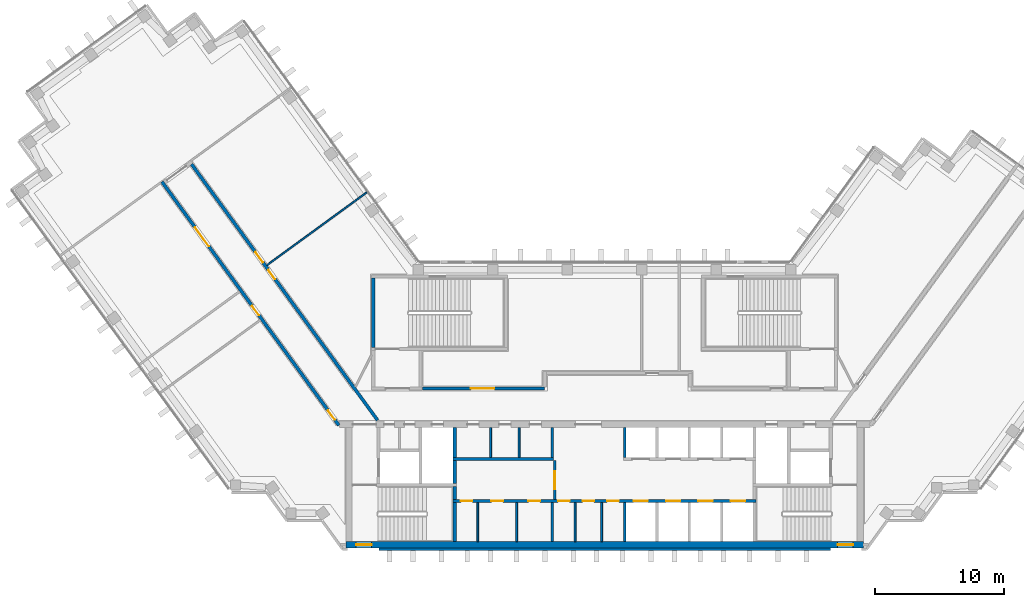
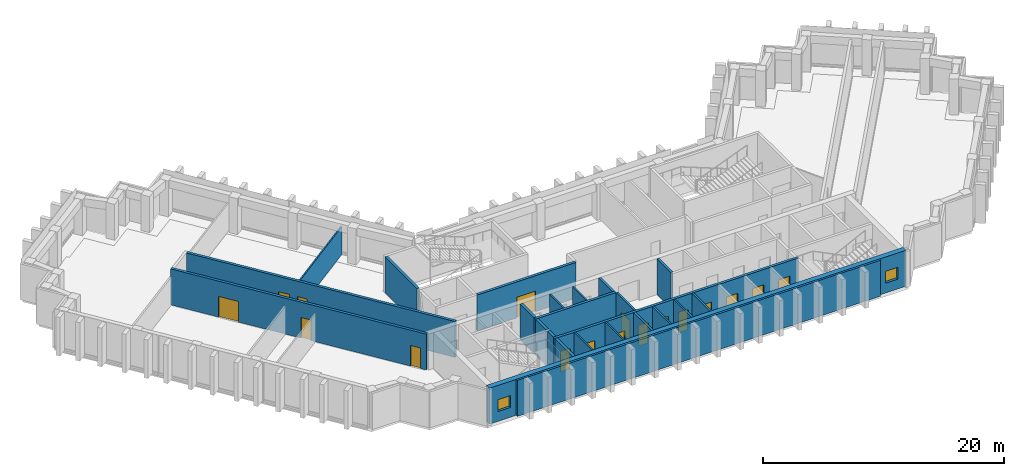
# One storey, part 4 of 9: 24 walls, 17 doors, 2 windows, 19 openings.
"""IFC4 building model written with IfcOpenShell, lengths in metres."""

from ifc_helpers import new_model, si_unit, direction, frame, frame_2d, origin, place, context, subcontext, project, spatial, rectangle, extrude, material, layer, layer_set, type_object, element, fill, save


model = new_model("IFC4")

# Units and contexts
model_context = context("Model", 3, precision=1e-05, world=origin(), true_north=direction((0.0, 1.0)))
body_context = subcontext(model_context, "Body", "Model", "MODEL_VIEW")
ifc_project = project(units=[si_unit("LENGTHUNIT", "METRE"), si_unit("AREAUNIT", "SQUARE_METRE"), si_unit("VOLUMEUNIT", "CUBIC_METRE"), si_unit("PLANEANGLEUNIT", "RADIAN"), si_unit("MASSUNIT", "GRAM", prefix="KILO")], contexts=[model_context])

# Site, building, storey
site_placement = place(None, origin())
site = spatial("IfcSite", under=ifc_project, at=site_placement, CompositionType="ELEMENT")
building_placement = place(site_placement, origin())
building = spatial("IfcBuilding", under=site, at=building_placement, Name="Quipu Civic Tower", CompositionType="ELEMENT")
storey_placement = place(building_placement, frame((0.0, 0.0, 218.0)))
storey = spatial("IfcBuildingStorey", under=building, at=storey_placement, Name="L51", CompositionType="ELEMENT", Elevation=218.0)

# Wall
ifc_material_1 = material(Name="Concrete C70/85", Category="concrete")
ifc_layer_1 = layer(ifc_material_1, 0.25)
ifc_layer_set_1 = layer_set([ifc_layer_1], Name="Concrete C70/85")
wall_type_1 = type_object("IfcWallType", Name="Core wall 250", PredefinedType="SHEAR", material=ifc_layer_set_1)
wall_1_placement = place(storey_placement, frame((-11.574951171875, -10.5, 0.0), z_axis=(0.0, 0.0, 1.0), x_axis=(0.0, 1.0, 0.0)))
element("IfcWall", 1, at=wall_1_placement, inside=storey, type_object=wall_type_1, Name="Core wall", PredefinedType="SHEAR", context=body_context, shape_type="SweptSolid", body=[
    extrude(rectangle(XDim=3.0, YDim=0.25, at=frame_2d((1.5, 0.0))), origin(), (0.0, 0.0, 1.0), 3.64990234375),
])

# Wall, openings, doors
wall_2_placement = place(storey_placement, frame((11.699951171875, -7.375, 0.0), z_axis=(0.0, 0.0, 1.0), x_axis=(-1.0, 0.0, 0.0)))
wall_2 = element("IfcWall", 2, at=wall_2_placement, inside=storey, type_object=wall_type_1, Name="Core wall", PredefinedType="SHEAR", context=body_context, shape_type="SweptSolid", body=[
    extrude(rectangle(XDim=23.39990234375, YDim=0.25, at=frame_2d((11.699951171875, 0.0))), origin(), (0.0, 0.0, 1.0), 3.64990234375),
])
opening_1_placement = place(wall_2_placement, frame((21.912109375, 0.0, 0.0)))
opening_1 = element("IfcOpeningElement", 3, at=opening_1_placement, cuts=wall_2, Name="Opening CD-01", PredefinedType="OPENING", context=body_context, shape_type="SweptSolid", body=[
    extrude(rectangle(XDim=0.89990234375, YDim=2.10009765625, at=frame_2d((0.449951171875, 1.050048828125))), frame((0.0, 0.135009765625, 0.0), z_axis=(0.0, -1.0, 0.0), x_axis=(1.0, 0.0, 0.0)), (0.0, 0.0, 1.0), 0.27001953125),
])
opening_2_placement = place(wall_2_placement, frame((19.550048828125, 0.0, 0.0)))
opening_2 = element("IfcOpeningElement", 4, at=opening_2_placement, cuts=wall_2, Name="Opening CD-02", PredefinedType="OPENING", context=body_context, shape_type="SweptSolid", body=[
    extrude(rectangle(XDim=0.89990234375, YDim=2.10009765625, at=frame_2d((0.449951171875, 1.050048828125))), frame((0.0, 0.135009765625, 0.0), z_axis=(0.0, -1.0, 0.0), x_axis=(1.0, 0.0, 0.0)), (0.0, 0.0, 1.0), 0.27001953125),
])
opening_3_placement = place(wall_2_placement, frame((16.68798828125, 0.0, 0.0)))
opening_3 = element("IfcOpeningElement", 5, at=opening_3_placement, cuts=wall_2, Name="Opening CD-03", PredefinedType="OPENING", context=body_context, shape_type="SweptSolid", body=[
    extrude(rectangle(XDim=0.89990234375, YDim=2.10009765625, at=frame_2d((0.449951171875, 1.050048828125))), frame((0.0, 0.135009765625, 0.0), z_axis=(0.0, -1.0, 0.0), x_axis=(1.0, 0.0, 0.0)), (0.0, 0.0, 1.0), 0.27001953125),
])
opening_4_placement = place(wall_2_placement, frame((14.39990234375, 0.0, 0.0)))
opening_4 = element("IfcOpeningElement", 6, at=opening_4_placement, cuts=wall_2, Name="Opening CD-04", PredefinedType="OPENING", context=body_context, shape_type="SweptSolid", body=[
    extrude(rectangle(XDim=0.89990234375, YDim=2.10009765625, at=frame_2d((0.449951171875, 1.050048828125))), frame((0.0, 0.135009765625, 0.0), z_axis=(0.0, -1.0, 0.0), x_axis=(1.0, 0.0, 0.0)), (0.0, 0.0, 1.0), 0.27001953125),
])
opening_5_placement = place(wall_2_placement, frame((12.5, 0.0, 0.0)))
opening_5 = element("IfcOpeningElement", 7, at=opening_5_placement, cuts=wall_2, Name="Opening CD-05", PredefinedType="OPENING", context=body_context, shape_type="SweptSolid", body=[
    extrude(rectangle(XDim=0.89990234375, YDim=2.10009765625, at=frame_2d((0.449951171875, 1.050048828125))), frame((0.0, 0.135009765625, 0.0), z_axis=(0.0, -1.0, 0.0), x_axis=(1.0, 0.0, 0.0)), (0.0, 0.0, 1.0), 0.27001953125),
])
opening_6_placement = place(wall_2_placement, frame((10.60009765625, 0.0, 0.0)))
opening_6 = element("IfcOpeningElement", 8, at=opening_6_placement, cuts=wall_2, Name="Opening CD-06", PredefinedType="OPENING", context=body_context, shape_type="SweptSolid", body=[
    extrude(rectangle(XDim=0.89990234375, YDim=2.10009765625, at=frame_2d((0.449951171875, 1.050048828125))), frame((0.0, 0.135009765625, 0.0), z_axis=(0.0, -1.0, 0.0), x_axis=(1.0, 0.0, 0.0)), (0.0, 0.0, 1.0), 0.27001953125),
])
opening_7_placement = place(wall_2_placement, frame((8.35009765625, 0.0, 0.0)))
opening_7 = element("IfcOpeningElement", 9, at=opening_7_placement, cuts=wall_2, Name="Opening LD-ML1", PredefinedType="OPENING", context=body_context, shape_type="SweptSolid", body=[
    extrude(rectangle(XDim=1.10009765625, YDim=2.10009765625, at=frame_2d((0.550048828125, 1.050048828125))), frame((0.0, 0.135009765625, 0.0), z_axis=(0.0, -1.0, 0.0), x_axis=(1.0, 0.0, 0.0)), (0.0, 0.0, 1.0), 0.27001953125),
])
opening_8_placement = place(wall_2_placement, frame((5.85009765625, 0.0, 0.0)))
opening_8 = element("IfcOpeningElement", 10, at=opening_8_placement, cuts=wall_2, Name="Opening LD-ML2", PredefinedType="OPENING", context=body_context, shape_type="SweptSolid", body=[
    extrude(rectangle(XDim=1.10009765625, YDim=2.10009765625, at=frame_2d((0.550048828125, 1.050048828125))), frame((0.0, 0.135009765625, 0.0), z_axis=(0.0, -1.0, 0.0), x_axis=(1.0, 0.0, 0.0)), (0.0, 0.0, 1.0), 0.27001953125),
])
opening_9_placement = place(wall_2_placement, frame((3.35009765625, 0.0, 0.0)))
opening_9 = element("IfcOpeningElement", 11, at=opening_9_placement, cuts=wall_2, Name="Opening LD-ML3", PredefinedType="OPENING", context=body_context, shape_type="SweptSolid", body=[
    extrude(rectangle(XDim=1.10009765625, YDim=2.10009765625, at=frame_2d((0.550048828125, 1.050048828125))), frame((0.0, 0.135009765625, 0.0), z_axis=(0.0, -1.0, 0.0), x_axis=(1.0, 0.0, 0.0)), (0.0, 0.0, 1.0), 0.27001953125),
])
opening_10_placement = place(wall_2_placement, frame((0.85009765625, 0.0, 0.0)))
opening_10 = element("IfcOpeningElement", 12, at=opening_10_placement, cuts=wall_2, Name="Opening LD-ML4", PredefinedType="OPENING", context=body_context, shape_type="SweptSolid", body=[
    extrude(rectangle(XDim=1.10009765625, YDim=2.10009765625, at=frame_2d((0.550048828125, 1.050048828125))), frame((0.0, 0.135009765625, 0.0), z_axis=(0.0, -1.0, 0.0), x_axis=(1.0, 0.0, 0.0)), (0.0, 0.0, 1.0), 0.27001953125),
])
ifc_material_2 = material(Name="Fire rated steel door", Category="steel")
door_type_1 = type_object("IfcDoorType", Name="Fire door FD60 900 x 2100", OperationType="NOTDEFINED", PredefinedType="DOOR", material=ifc_material_2)
door_1_placement = place(opening_1_placement, origin())
door_1 = element("IfcDoor", 13, at=door_1_placement, inside=storey, type_object=door_type_1, Name="Door", OperationType="SINGLE_SWING_RIGHT", OverallHeight=2.10009765625, OverallWidth=0.89990234375, PredefinedType="DOOR", context=body_context, shape_type="SweptSolid", body=[
    extrude(rectangle(XDim=0.89990234375, YDim=2.10009765625, at=frame_2d((0.449951171875, 1.050048828125))), frame((0.0, 0.02490234375, 0.0), z_axis=(0.0, -1.0, 0.0), x_axis=(1.0, 0.0, 0.0)), (0.0, 0.0, 1.0), 0.050048828125),
])
fill(opening_1, door_1)
door_2_placement = place(opening_2_placement, origin())
door_2 = element("IfcDoor", 14, at=door_2_placement, inside=storey, type_object=door_type_1, Name="Door", OperationType="SINGLE_SWING_RIGHT", OverallHeight=2.10009765625, OverallWidth=0.89990234375, PredefinedType="DOOR", context=body_context, shape_type="SweptSolid", body=[
    extrude(rectangle(XDim=0.89990234375, YDim=2.10009765625, at=frame_2d((0.449951171875, 1.050048828125))), frame((0.0, 0.02490234375, 0.0), z_axis=(0.0, -1.0, 0.0), x_axis=(1.0, 0.0, 0.0)), (0.0, 0.0, 1.0), 0.050048828125),
])
fill(opening_2, door_2)
door_3_placement = place(opening_3_placement, origin())
door_3 = element("IfcDoor", 15, at=door_3_placement, inside=storey, type_object=door_type_1, Name="Door", OperationType="SINGLE_SWING_RIGHT", OverallHeight=2.10009765625, OverallWidth=0.89990234375, PredefinedType="DOOR", context=body_context, shape_type="SweptSolid", body=[
    extrude(rectangle(XDim=0.89990234375, YDim=2.10009765625, at=frame_2d((0.449951171875, 1.050048828125))), frame((0.0, 0.02490234375, 0.0), z_axis=(0.0, -1.0, 0.0), x_axis=(1.0, 0.0, 0.0)), (0.0, 0.0, 1.0), 0.050048828125),
])
fill(opening_3, door_3)
door_4_placement = place(opening_4_placement, origin())
door_4 = element("IfcDoor", 16, at=door_4_placement, inside=storey, type_object=door_type_1, Name="WC door", OperationType="SINGLE_SWING_RIGHT", OverallHeight=2.10009765625, OverallWidth=0.89990234375, PredefinedType="DOOR", context=body_context, shape_type="SweptSolid", body=[
    extrude(rectangle(XDim=0.89990234375, YDim=2.10009765625, at=frame_2d((0.449951171875, 1.050048828125))), frame((0.0, 0.02490234375, 0.0), z_axis=(0.0, -1.0, 0.0), x_axis=(1.0, 0.0, 0.0)), (0.0, 0.0, 1.0), 0.050048828125),
])
fill(opening_4, door_4)
door_5_placement = place(opening_5_placement, origin())
door_5 = element("IfcDoor", 17, at=door_5_placement, inside=storey, type_object=door_type_1, Name="WC door", OperationType="SINGLE_SWING_RIGHT", OverallHeight=2.10009765625, OverallWidth=0.89990234375, PredefinedType="DOOR", context=body_context, shape_type="SweptSolid", body=[
    extrude(rectangle(XDim=0.89990234375, YDim=2.10009765625, at=frame_2d((0.449951171875, 1.050048828125))), frame((0.0, 0.02490234375, 0.0), z_axis=(0.0, -1.0, 0.0), x_axis=(1.0, 0.0, 0.0)), (0.0, 0.0, 1.0), 0.050048828125),
])
fill(opening_5, door_5)
door_6_placement = place(opening_6_placement, origin())
door_6 = element("IfcDoor", 18, at=door_6_placement, inside=storey, type_object=door_type_1, Name="WC door", OperationType="SINGLE_SWING_LEFT", OverallHeight=2.10009765625, OverallWidth=0.89990234375, PredefinedType="DOOR", context=body_context, shape_type="SweptSolid", body=[
    extrude(rectangle(XDim=0.89990234375, YDim=2.10009765625, at=frame_2d((0.449951171875, 1.050048828125))), frame((0.0, 0.02490234375, 0.0), z_axis=(0.0, -1.0, 0.0), x_axis=(1.0, 0.0, 0.0)), (0.0, 0.0, 1.0), 0.050048828125),
])
fill(opening_6, door_6)
ifc_material_3 = material(Name="Stainless steel", Category="steel")
door_type_2 = type_object("IfcDoorType", Name="Lift landing door 1100 x 2100", OperationType="DOUBLE_DOOR_SLIDING", PredefinedType="DOOR", material=ifc_material_3)
door_7_placement = place(opening_7_placement, origin())
door_7 = element("IfcDoor", 19, at=door_7_placement, inside=storey, type_object=door_type_2, Name="Landing door ML1", OperationType="DOUBLE_DOOR_SLIDING", OverallHeight=2.10009765625, OverallWidth=1.10009765625, PredefinedType="DOOR", context=body_context, shape_type="SweptSolid", body=[
    extrude(rectangle(XDim=1.10009765625, YDim=2.10009765625, at=frame_2d((0.550048828125, 1.050048828125))), frame((0.0, 0.02490234375, 0.0), z_axis=(0.0, -1.0, 0.0), x_axis=(1.0, 0.0, 0.0)), (0.0, 0.0, 1.0), 0.050048828125),
])
fill(opening_7, door_7)
door_8_placement = place(opening_8_placement, origin())
door_8 = element("IfcDoor", 20, at=door_8_placement, inside=storey, type_object=door_type_2, Name="Landing door ML2", OperationType="DOUBLE_DOOR_SLIDING", OverallHeight=2.10009765625, OverallWidth=1.10009765625, PredefinedType="DOOR", context=body_context, shape_type="SweptSolid", body=[
    extrude(rectangle(XDim=1.10009765625, YDim=2.10009765625, at=frame_2d((0.550048828125, 1.050048828125))), frame((0.0, 0.02490234375, 0.0), z_axis=(0.0, -1.0, 0.0), x_axis=(1.0, 0.0, 0.0)), (0.0, 0.0, 1.0), 0.050048828125),
])
fill(opening_8, door_8)
door_9_placement = place(opening_9_placement, origin())
door_9 = element("IfcDoor", 21, at=door_9_placement, inside=storey, type_object=door_type_2, Name="Landing door ML3", OperationType="DOUBLE_DOOR_SLIDING", OverallHeight=2.10009765625, OverallWidth=1.10009765625, PredefinedType="DOOR", context=body_context, shape_type="SweptSolid", body=[
    extrude(rectangle(XDim=1.10009765625, YDim=2.10009765625, at=frame_2d((0.550048828125, 1.050048828125))), frame((0.0, 0.02490234375, 0.0), z_axis=(0.0, -1.0, 0.0), x_axis=(1.0, 0.0, 0.0)), (0.0, 0.0, 1.0), 0.050048828125),
])
fill(opening_9, door_9)
door_10_placement = place(opening_10_placement, origin())
door_10 = element("IfcDoor", 22, at=door_10_placement, inside=storey, type_object=door_type_2, Name="Landing door ML4", OperationType="DOUBLE_DOOR_SLIDING", OverallHeight=2.10009765625, OverallWidth=1.10009765625, PredefinedType="DOOR", context=body_context, shape_type="SweptSolid", body=[
    extrude(rectangle(XDim=1.10009765625, YDim=2.10009765625, at=frame_2d((0.550048828125, 1.050048828125))), frame((0.0, 0.02490234375, 0.0), z_axis=(0.0, -1.0, 0.0), x_axis=(1.0, 0.0, 0.0)), (0.0, 0.0, 1.0), 0.050048828125),
])
fill(opening_10, door_10)

# Walls
wall_3_placement = place(storey_placement, frame((-11.574951171875, -7.25, 0.0), z_axis=(0.0, 0.0, 1.0), x_axis=(0.0, 1.0, 0.0)))
element("IfcWall", 23, at=wall_3_placement, inside=storey, type_object=wall_type_1, Name="Core wall", PredefinedType="SHEAR", context=body_context, shape_type="SweptSolid", body=[
    extrude(rectangle(XDim=1.0, YDim=0.25, at=frame_2d((0.5, 0.0))), origin(), (0.0, 0.0, 1.0), 3.64990234375),
])
wall_4_placement = place(storey_placement, frame((-11.574951171875, -6.0, 0.0), z_axis=(0.0, 0.0, 1.0), x_axis=(0.0, 1.0, 0.0)))
element("IfcWall", 24, at=wall_4_placement, inside=storey, type_object=wall_type_1, Name="Core wall", PredefinedType="SHEAR", context=body_context, shape_type="SweptSolid", body=[
    extrude(rectangle(XDim=1.75, YDim=0.25, at=frame_2d((0.875, 0.0))), origin(), (0.0, 0.0, 1.0), 3.64990234375),
])
wall_5_placement = place(storey_placement, frame((-11.699951171875, -4.125, 0.0), z_axis=(0.0, 0.0, 1.0), x_axis=(1.0, 0.0, 0.0)))
element("IfcWall", 25, at=wall_5_placement, inside=storey, type_object=wall_type_1, Name="Core wall", PredefinedType="SHEAR", context=body_context, shape_type="SweptSolid", body=[
    extrude(rectangle(XDim=7.75, YDim=0.25, at=frame_2d((3.875, 0.0))), origin(), (0.0, 0.0, 1.0), 3.64990234375),
])
wall_6_placement = place(storey_placement, frame((-11.574951171875, -4.0, 0.0), z_axis=(0.0, 0.0, 1.0), x_axis=(0.0, 1.0, 0.0)))
element("IfcWall", 26, at=wall_6_placement, inside=storey, type_object=wall_type_1, Name="Core wall", PredefinedType="SHEAR", context=body_context, shape_type="SweptSolid", body=[
    extrude(rectangle(XDim=2.300048828125, YDim=0.25, at=frame_2d((1.14990234375, 0.0))), origin(), (0.0, 0.0, 1.0), 3.64990234375),
])
wall_7_placement = place(storey_placement, frame((-17.875, 4.5, 0.0), z_axis=(0.0, 0.0, 1.0), x_axis=(0.0, 1.0, 0.0)))
element("IfcWall", 27, at=wall_7_placement, inside=storey, type_object=wall_type_1, Name="Core wall", PredefinedType="SHEAR", context=body_context, shape_type="SweptSolid", body=[
    extrude(rectangle(XDim=5.35009765625, YDim=0.25, at=frame_2d((2.675048828125, 0.0))), origin(), (0.0, 0.0, 1.0), 3.64990234375),
])

# Wall, openings, windows
ifc_material_4 = material(Name="Concrete C70/85", Category="concrete")
ifc_layer_2 = layer(ifc_material_4, 0.5)
ifc_layer_set_2 = layer_set([ifc_layer_2], Name="Concrete C70/85")
wall_type_2 = type_object("IfcWallType", Name="Core wall 500", PredefinedType="SHEAR", material=ifc_layer_set_2)
wall_8_placement = place(storey_placement, frame((-20.0, -10.75, 0.0), z_axis=(0.0, 0.0, 1.0), x_axis=(1.0, 0.0, 0.0)))
wall_8 = element("IfcWall", 28, at=wall_8_placement, inside=storey, type_object=wall_type_2, Name="Core wall", PredefinedType="SHEAR", context=body_context, shape_type="SweptSolid", body=[
    extrude(rectangle(XDim=40.0, YDim=0.5, at=frame_2d((20.0, 0.0))), origin(), (0.0, 0.0, 1.0), 3.64990234375),
])
opening_11_placement = place(wall_8_placement, frame((0.800048828125, 0.0, 1.0)))
opening_11 = element("IfcOpeningElement", 29, at=opening_11_placement, cuts=wall_8, Name="Opening SV-1", PredefinedType="OPENING", context=body_context, shape_type="SweptSolid", body=[
    extrude(rectangle(XDim=1.199951171875, YDim=1.199951171875, at=frame_2d((0.60009765625, 0.60009765625))), frame((0.0, 0.260009765625, 0.0), z_axis=(0.0, -1.0, 0.0), x_axis=(1.0, 0.0, 0.0)), (0.0, 0.0, 1.0), 0.52001953125),
])
opening_12_placement = place(wall_8_placement, frame((38.0, 0.0, 1.0)))
opening_12 = element("IfcOpeningElement", 30, at=opening_12_placement, cuts=wall_8, Name="Opening SV-2", PredefinedType="OPENING", context=body_context, shape_type="SweptSolid", body=[
    extrude(rectangle(XDim=1.199951171875, YDim=1.199951171875, at=frame_2d((0.60009765625, 0.60009765625))), frame((0.0, 0.260009765625, 0.0), z_axis=(0.0, -1.0, 0.0), x_axis=(1.0, 0.0, 0.0)), (0.0, 0.0, 1.0), 0.52001953125),
])
ifc_material_5 = material(Name="Aluminium louvre", Category="aluminium")
window_type = type_object("IfcWindowType", Name="Stair ventilation louvre 1200 x 1200", PartitioningType="SINGLE_PANEL", PredefinedType="WINDOW", material=ifc_material_5)
window_1_placement = place(opening_11_placement, origin())
window_1 = element("IfcWindow", 31, at=window_1_placement, inside=storey, type_object=window_type, Name="Stair ventilation opening", OverallHeight=1.199951171875, OverallWidth=1.199951171875, PartitioningType="SINGLE_PANEL", PredefinedType="WINDOW", context=body_context, shape_type="SweptSolid", body=[
    extrude(rectangle(XDim=1.199951171875, YDim=1.199951171875, at=frame_2d((0.60009765625, 0.60009765625))), frame((0.0, 0.030029296875, 0.0), z_axis=(0.0, -1.0, 0.0), x_axis=(1.0, 0.0, 0.0)), (0.0, 0.0, 1.0), 0.06005859375),
])
fill(opening_11, window_1)
window_2_placement = place(opening_12_placement, origin())
window_2 = element("IfcWindow", 32, at=window_2_placement, inside=storey, type_object=window_type, Name="Stair ventilation opening", OverallHeight=1.199951171875, OverallWidth=1.199951171875, PartitioningType="SINGLE_PANEL", PredefinedType="WINDOW", context=body_context, shape_type="SweptSolid", body=[
    extrude(rectangle(XDim=1.199951171875, YDim=1.199951171875, at=frame_2d((0.60009765625, 0.60009765625))), frame((0.0, 0.030029296875, 0.0), z_axis=(0.0, -1.0, 0.0), x_axis=(1.0, 0.0, 0.0)), (0.0, 0.0, 1.0), 0.06005859375),
])
fill(opening_12, window_2)

# Wall, openings, doors
ifc_material_6 = material(Name="Concrete C50/60", Category="concrete")
ifc_layer_3 = layer(ifc_material_6, 0.25)
ifc_layer_set_3 = layer_set([ifc_layer_3], Name="Concrete C50/60")
wall_type_3 = type_object("IfcWallType", Name="Corridor wall 250 concrete", PredefinedType="SOLIDWALL", material=ifc_layer_set_3)
wall_9_placement = place(storey_placement, frame((-20.531005859375, -1.5234375, 0.0), z_axis=(0.0, 0.0, 1.0), x_axis=(-0.587784239999, 0.809017729849, 0.0)))
wall_9 = element("IfcWall", 33, at=wall_9_placement, inside=storey, type_object=wall_type_3, Name="Corridor wall C04", PredefinedType="SOLIDWALL", context=body_context, shape_type="SweptSolid", body=[
    extrude(rectangle(XDim=23.2705078125, YDim=0.25, at=frame_2d((11.63525390625, 0.0))), origin(), (0.0, 0.0, 1.0), 3.64990234375),
])
opening_13_placement = place(wall_9_placement, frame((0.53271484375, 0.0, 0.0)))
opening_13 = element("IfcOpeningElement", 34, at=opening_13_placement, cuts=wall_9, Name="Opening D010", PredefinedType="OPENING", context=body_context, shape_type="SweptSolid", body=[
    extrude(rectangle(XDim=0.89990234375, YDim=2.10009765625, at=frame_2d((0.449951171875, 1.050048828125))), frame((0.0, 0.135009765625, 0.0), z_axis=(0.0, -1.0, 0.0), x_axis=(1.0, 0.0, 0.0)), (0.0, 0.0, 1.0), 0.27001953125),
])
opening_14_placement = place(wall_9_placement, frame((17.10595703125, 0.0, 0.0)))
opening_14 = element("IfcOpeningElement", 35, at=opening_14_placement, cuts=wall_9, Name="Opening D008", PredefinedType="OPENING", context=body_context, shape_type="SweptSolid", body=[
    extrude(rectangle(XDim=1.800048828125, YDim=2.10009765625, at=frame_2d((0.89990234375, 1.050048828125))), frame((0.0, 0.135009765625, 0.0), z_axis=(0.0, -1.0, 0.0), x_axis=(1.0, 0.0, 0.0)), (0.0, 0.0, 1.0), 0.27001953125),
])
opening_15_placement = place(wall_9_placement, frame((10.515625, 0.0, 0.0)))
opening_15 = element("IfcOpeningElement", 36, at=opening_15_placement, cuts=wall_9, Name="Opening D009", PredefinedType="OPENING", context=body_context, shape_type="SweptSolid", body=[
    extrude(rectangle(XDim=0.89990234375, YDim=2.10009765625, at=frame_2d((0.449951171875, 1.050048828125))), frame((0.0, 0.135009765625, 0.0), z_axis=(0.0, -1.0, 0.0), x_axis=(1.0, 0.0, 0.0)), (0.0, 0.0, 1.0), 0.27001953125),
])
ifc_material_7 = material(Name="Fire rated timber door set with metal frame", Category="wood")
door_type_3 = type_object("IfcDoorType", Name="Double door 1800 x 2100 FD60", OperationType="DOUBLE_DOOR_SINGLE_SWING", PredefinedType="DOOR", material=ifc_material_7)
door_11_placement = place(opening_14_placement, origin())
door_11 = element("IfcDoor", 37, at=door_11_placement, inside=storey, type_object=door_type_3, Name="Door D008", OperationType="DOUBLE_DOOR_SINGLE_SWING", OverallHeight=2.10009765625, OverallWidth=1.800048828125, PredefinedType="DOOR", context=body_context, shape_type="SweptSolid", body=[
    extrude(rectangle(XDim=1.800048828125, YDim=2.10009765625, at=frame_2d((0.89990234375, 1.050048828125))), frame((0.0, 0.02490234375, 0.0), z_axis=(0.0, -1.0, 0.0), x_axis=(1.0, 0.0, 0.0)), (0.0, 0.0, 1.0), 0.050048828125),
])
fill(opening_14, door_11)
ifc_material_8 = material(Name="Fire rated timber door set with metal frame", Category="wood")
door_type_4 = type_object("IfcDoorType", Name="Single door 900 x 2100 FD60", OperationType="NOTDEFINED", PredefinedType="DOOR", material=ifc_material_8)
door_12_placement = place(opening_13_placement, origin())
door_12 = element("IfcDoor", 38, at=door_12_placement, inside=storey, type_object=door_type_4, Name="Door D010", OperationType="SINGLE_SWING_LEFT", OverallHeight=2.10009765625, OverallWidth=0.89990234375, PredefinedType="DOOR", context=body_context, shape_type="SweptSolid", body=[
    extrude(rectangle(XDim=0.89990234375, YDim=2.10009765625, at=frame_2d((0.449951171875, 1.050048828125))), frame((0.0, 0.02490234375, 0.0), z_axis=(0.0, -1.0, 0.0), x_axis=(1.0, 0.0, 0.0)), (0.0, 0.0, 1.0), 0.050048828125),
])
fill(opening_13, door_12)
door_13_placement = place(opening_15_placement, origin())
door_13 = element("IfcDoor", 39, at=door_13_placement, inside=storey, type_object=door_type_4, Name="Door D009", OperationType="SINGLE_SWING_LEFT", OverallHeight=2.10009765625, OverallWidth=0.89990234375, PredefinedType="DOOR", context=body_context, shape_type="SweptSolid", body=[
    extrude(rectangle(XDim=0.89990234375, YDim=2.10009765625, at=frame_2d((0.449951171875, 1.050048828125))), frame((0.0, 0.02490234375, 0.0), z_axis=(0.0, -1.0, 0.0), x_axis=(1.0, 0.0, 0.0)), (0.0, 0.0, 1.0), 0.050048828125),
])
fill(opening_15, door_13)

wall_10_placement = place(storey_placement, frame((-31.918212890625, 18.658203125, 0.0), z_axis=(0.0, 0.0, 1.0), x_axis=(0.587788731405, -0.80901446664, 0.0)))
wall_10 = element("IfcWall", 40, at=wall_10_placement, inside=storey, type_object=wall_type_3, Name="Corridor wall C06", PredefinedType="SOLIDWALL", context=body_context, shape_type="SweptSolid", body=[
    extrude(rectangle(XDim=24.453125, YDim=0.25, at=frame_2d((12.2265625, 0.0))), origin(), (0.0, 0.0, 1.0), 3.64990234375),
])
opening_16_placement = place(wall_10_placement, frame((8.39501953125, 0.0, 0.0)))
opening_16 = element("IfcOpeningElement", 41, at=opening_16_placement, cuts=wall_10, Name="Opening D006", PredefinedType="OPENING", context=body_context, shape_type="SweptSolid", body=[
    extrude(rectangle(XDim=1.0, YDim=2.10009765625, at=frame_2d((0.5, 1.050048828125))), frame((0.0, 0.135009765625, 0.0), z_axis=(0.0, -1.0, 0.0), x_axis=(1.0, 0.0, 0.0)), (0.0, 0.0, 1.0), 0.27001953125),
])
opening_17_placement = place(wall_10_placement, frame((10.09521484375, 0.0, 0.0)))
opening_17 = element("IfcOpeningElement", 42, at=opening_17_placement, cuts=wall_10, Name="Opening D007", PredefinedType="OPENING", context=body_context, shape_type="SweptSolid", body=[
    extrude(rectangle(XDim=0.89990234375, YDim=2.10009765625, at=frame_2d((0.449951171875, 1.050048828125))), frame((0.0, 0.135009765625, 0.0), z_axis=(0.0, -1.0, 0.0), x_axis=(1.0, 0.0, 0.0)), (0.0, 0.0, 1.0), 0.27001953125),
])
ifc_material_9 = material(Name="Fire rated timber door set with metal frame", Category="wood")
door_type_5 = type_object("IfcDoorType", Name="Single door 1000 x 2100 FD60", OperationType="NOTDEFINED", PredefinedType="DOOR", material=ifc_material_9)
door_14_placement = place(opening_16_placement, origin())
door_14 = element("IfcDoor", 43, at=door_14_placement, inside=storey, type_object=door_type_5, Name="Door D006", OperationType="SINGLE_SWING_RIGHT", OverallHeight=2.10009765625, OverallWidth=1.0, PredefinedType="DOOR", context=body_context, shape_type="SweptSolid", body=[
    extrude(rectangle(XDim=1.0, YDim=2.10009765625, at=frame_2d((0.5, 1.050048828125))), frame((0.0, 0.02490234375, 0.0), z_axis=(0.0, -1.0, 0.0), x_axis=(1.0, 0.0, 0.0)), (0.0, 0.0, 1.0), 0.050048828125),
])
fill(opening_16, door_14)
door_15_placement = place(opening_17_placement, origin())
door_15 = element("IfcDoor", 44, at=door_15_placement, inside=storey, type_object=door_type_4, Name="Door D007", OperationType="SINGLE_SWING_LEFT", OverallHeight=2.10009765625, OverallWidth=0.89990234375, PredefinedType="DOOR", context=body_context, shape_type="SweptSolid", body=[
    extrude(rectangle(XDim=0.89990234375, YDim=2.10009765625, at=frame_2d((0.449951171875, 1.050048828125))), frame((0.0, 0.02490234375, 0.0), z_axis=(0.0, -1.0, 0.0), x_axis=(1.0, 0.0, 0.0)), (0.0, 0.0, 1.0), 0.050048828125),
])
fill(opening_17, door_15)

# Wall, opening, door
wall_11_placement = place(storey_placement, frame((-14.090087890625, 1.324951171875, 0.0), z_axis=(0.0, 0.0, 1.0), x_axis=(1.0, 0.0, 0.0)))
wall_11 = element("IfcWall", 45, at=wall_11_placement, inside=storey, type_object=wall_type_3, Name="Corridor wall C07", PredefinedType="SOLIDWALL", context=body_context, shape_type="SweptSolid", body=[
    extrude(rectangle(XDim=9.431396484375, YDim=0.25, at=frame_2d((4.7158203125, 0.0))), origin(), (0.0, 0.0, 1.0), 3.64990234375),
])
opening_18_placement = place(wall_11_placement, frame((3.764892578125, 0.0, 0.0)))
opening_18 = element("IfcOpeningElement", 46, at=opening_18_placement, cuts=wall_11, Name="Opening D003", PredefinedType="OPENING", context=body_context, shape_type="SweptSolid", body=[
    extrude(rectangle(XDim=1.800048828125, YDim=2.10009765625, at=frame_2d((0.89990234375, 1.050048828125))), frame((0.0, 0.135009765625, 0.0), z_axis=(0.0, -1.0, 0.0), x_axis=(1.0, 0.0, 0.0)), (0.0, 0.0, 1.0), 0.27001953125),
])
door_16_placement = place(opening_18_placement, origin())
door_16 = element("IfcDoor", 47, at=door_16_placement, inside=storey, type_object=door_type_3, Name="Door D003", OperationType="DOUBLE_DOOR_SINGLE_SWING", OverallHeight=2.10009765625, OverallWidth=1.800048828125, PredefinedType="DOOR", context=body_context, shape_type="SweptSolid", body=[
    extrude(rectangle(XDim=1.800048828125, YDim=2.10009765625, at=frame_2d((0.89990234375, 1.050048828125))), frame((0.0, 0.02490234375, 0.0), z_axis=(0.0, -1.0, 0.0), x_axis=(1.0, 0.0, 0.0)), (0.0, 0.0, 1.0), 0.050048828125),
])
fill(opening_18, door_16)

# Walls
ifc_material_10 = material(Name="Gypsum plasterboard on light gauge framing")
ifc_layer_4 = layer(ifc_material_10, 0.1201171875)
ifc_layer_set_4 = layer_set([ifc_layer_4], Name="Gypsum plasterboard on light gauge framing")
wall_type_4 = type_object("IfcWallType", Name="Partition 120 plasterboard", PredefinedType="PARTITIONING", material=ifc_layer_set_4)
wall_12_placement = place(storey_placement, frame((-26.089111328125, 10.847900390625, 0.0), z_axis=(0.0, 0.0, 1.0), x_axis=(0.807661302092, 0.589646691759, 0.0)))
element("IfcWall", 48, at=wall_12_placement, inside=storey, type_object=wall_type_4, Name="Partition P06", PredefinedType="PARTITIONING", context=body_context, shape_type="SweptSolid", body=[
    extrude(rectangle(XDim=9.550048828125, YDim=0.1201171875, at=frame_2d((4.77490234375, 0.0))), origin(), (0.0, 0.0, 1.0), 2.85009765625),
])
ifc_material_11 = material(Name="Gypsum board partition")
ifc_layer_5 = layer(ifc_material_11, 0.14990234375)
ifc_layer_set_5 = layer_set([ifc_layer_5], Name="Gypsum board partition")
wall_type_5 = type_object("IfcWallType", Name="Partition 150", PredefinedType="PARTITIONING", material=ifc_layer_set_5)
for number, where, z_axis, x_axis, name in (
    (49, (-9.800048828125, -10.5, 0.0), (0.0, 0.0, 1.0), (0.0, 1.0, 0.0), "Partition"),
    (50, (-6.800048828125, -10.5, 0.0), (0.0, 0.0, 1.0), (0.0, 1.0, 0.0), "Partition"),
    (51, (-2.27490234375, -10.5, 0.0), (0.0, 0.0, 1.0), (0.0, 1.0, 0.0), "Partition"),
    (52, (-0.22509765625, -10.5, 0.0), (0.0, 0.0, 1.0), (0.0, 1.0, 0.0), "Partition"),
):
    element("IfcWall", number, at=place(storey_placement, frame(where, z_axis=z_axis, x_axis=x_axis)), inside=storey, type_object=wall_type_5, Name=name, PredefinedType="PARTITIONING", context=body_context, shape_type="SweptSolid", body=[
        extrude(rectangle(XDim=3.0, YDim=0.14990234375, at=frame_2d((1.5, 0.0))), origin(), (0.0, 0.0, 1.0), 3.64990234375),
    ])
for number, where, z_axis, x_axis, name in (
    (53, (-8.800048828125, -4.0, 0.0), (0.0, 0.0, 1.0), (0.0, 1.0, 0.0), "Partition"),
    (54, (-6.60009765625, -4.0, 0.0), (0.0, 0.0, 1.0), (0.0, 1.0, 0.0), "Partition"),
):
    element("IfcWall", number, at=place(storey_placement, frame(where, z_axis=z_axis, x_axis=x_axis)), inside=storey, type_object=wall_type_5, Name=name, PredefinedType="PARTITIONING", context=body_context, shape_type="SweptSolid", body=[
        extrude(rectangle(XDim=2.300048828125, YDim=0.14990234375, at=frame_2d((1.14990234375, 0.0))), origin(), (0.0, 0.0, 1.0), 3.64990234375),
    ])
ifc_material_12 = material(Name="Precast concrete C40/50", Category="concrete")
wall_type_6 = type_object("IfcWallType", Name="Precast cladding wall", PredefinedType="SOLIDWALL", material=ifc_material_12)
wall_13_placement = place(storey_placement, frame((-17.44384765625, -11.087890625, 0.0), z_axis=(0.0, 0.0, 1.0), x_axis=(1.0, 0.0, 0.0)))
element("IfcWall", 55, at=wall_13_placement, inside=storey, type_object=wall_type_6, Name="Precast cladding wall L51 17", PredefinedType="SOLIDWALL", context=body_context, shape_type="SweptSolid", body=[
    extrude(rectangle(XDim=34.8876953125, YDim=0.199951171875, at=frame_2d((17.44384765625, 0.0))), origin(), (0.0, 0.0, 1.0), 3.64990234375),
])
ifc_material_13 = material(Name="Concrete C40/50", Category="concrete")
ifc_layer_6 = layer(ifc_material_13, 0.199951171875)
ifc_layer_set_6 = layer_set([ifc_layer_6], Name="Concrete C40/50")
wall_type_7 = type_object("IfcWallType", Name="Shaft wall 200", PredefinedType="SOLIDWALL", material=ifc_layer_set_6)
for number, where, z_axis, x_axis, name in (
    (56, (-4.050048828125, -10.5, 0.0), (0.0, 0.0, 1.0), (0.0, 1.0, 0.0), "Shaft wall"),
    (57, (1.550048828125, -10.5, 0.0), (0.0, 0.0, 1.0), (0.0, 1.0, 0.0), "Shaft wall"),
):
    element("IfcWall", number, at=place(storey_placement, frame(where, z_axis=z_axis, x_axis=x_axis)), inside=storey, type_object=wall_type_7, Name=name, PredefinedType="SOLIDWALL", context=body_context, shape_type="SweptSolid", body=[
        extrude(rectangle(XDim=3.0, YDim=0.199951171875, at=frame_2d((1.5, 0.0))), origin(), (0.0, 0.0, 1.0), 3.64990234375),
    ])

# Wall, opening, door
wall_14_placement = place(storey_placement, frame((-3.85009765625, -4.25, 0.0), z_axis=(0.0, 0.0, 1.0), x_axis=(0.0, -1.0, 0.0)))
wall_14 = element("IfcWall", 58, at=wall_14_placement, inside=storey, type_object=wall_type_7, Name="Shaft wall", PredefinedType="SOLIDWALL", context=body_context, shape_type="SweptSolid", body=[
    extrude(rectangle(XDim=3.0, YDim=0.199951171875, at=frame_2d((1.5, 0.0))), origin(), (0.0, 0.0, 1.0), 3.64990234375),
])
opening_19_placement = place(wall_14_placement, frame((0.800048828125, 0.0, 0.0)))
opening_19 = element("IfcOpeningElement", 59, at=opening_19_placement, cuts=wall_14, Name="Opening CD-09", PredefinedType="OPENING", context=body_context, shape_type="SweptSolid", body=[
    extrude(rectangle(XDim=1.39990234375, YDim=2.10009765625, at=frame_2d((0.699951171875, 1.050048828125))), frame((0.0, 0.10986328125, 0.0), z_axis=(0.0, -1.0, 0.0), x_axis=(1.0, 0.0, 0.0)), (0.0, 0.0, 1.0), 0.219970703125),
])
ifc_material_14 = material(Name="Fire rated steel door", Category="steel")
door_type_6 = type_object("IfcDoorType", Name="Fire door FD60 double 1400 x 2100", OperationType="NOTDEFINED", PredefinedType="DOOR", material=ifc_material_14)
door_17_placement = place(opening_19_placement, origin())
door_17 = element("IfcDoor", 60, at=door_17_placement, inside=storey, type_object=door_type_6, Name="Hall door", OperationType="DOUBLE_DOOR_SINGLE_SWING", OverallHeight=2.10009765625, OverallWidth=1.39990234375, PredefinedType="DOOR", context=body_context, shape_type="SweptSolid", body=[
    extrude(rectangle(XDim=1.39990234375, YDim=2.10009765625, at=frame_2d((0.699951171875, 1.050048828125))), frame((0.0, 0.02490234375, 0.0), z_axis=(0.0, -1.0, 0.0), x_axis=(1.0, 0.0, 0.0)), (0.0, 0.0, 1.0), 0.050048828125),
])
fill(opening_19, door_17)

# Walls
for number, where, z_axis, x_axis, name in (
    (61, (-4.050048828125, -4.0, 0.0), (0.0, 0.0, 1.0), (0.0, 1.0, 0.0), "Shaft wall"),
    (62, (1.550048828125, -4.0, 0.0), (0.0, 0.0, 1.0), (0.0, 1.0, 0.0), "Shaft wall"),
):
    element("IfcWall", number, at=place(storey_placement, frame(where, z_axis=z_axis, x_axis=x_axis)), inside=storey, type_object=wall_type_7, Name=name, PredefinedType="SOLIDWALL", context=body_context, shape_type="SweptSolid", body=[
        extrude(rectangle(XDim=2.300048828125, YDim=0.199951171875, at=frame_2d((1.14990234375, 0.0))), origin(), (0.0, 0.0, 1.0), 3.64990234375),
    ])

save(model, "model.ifc")
